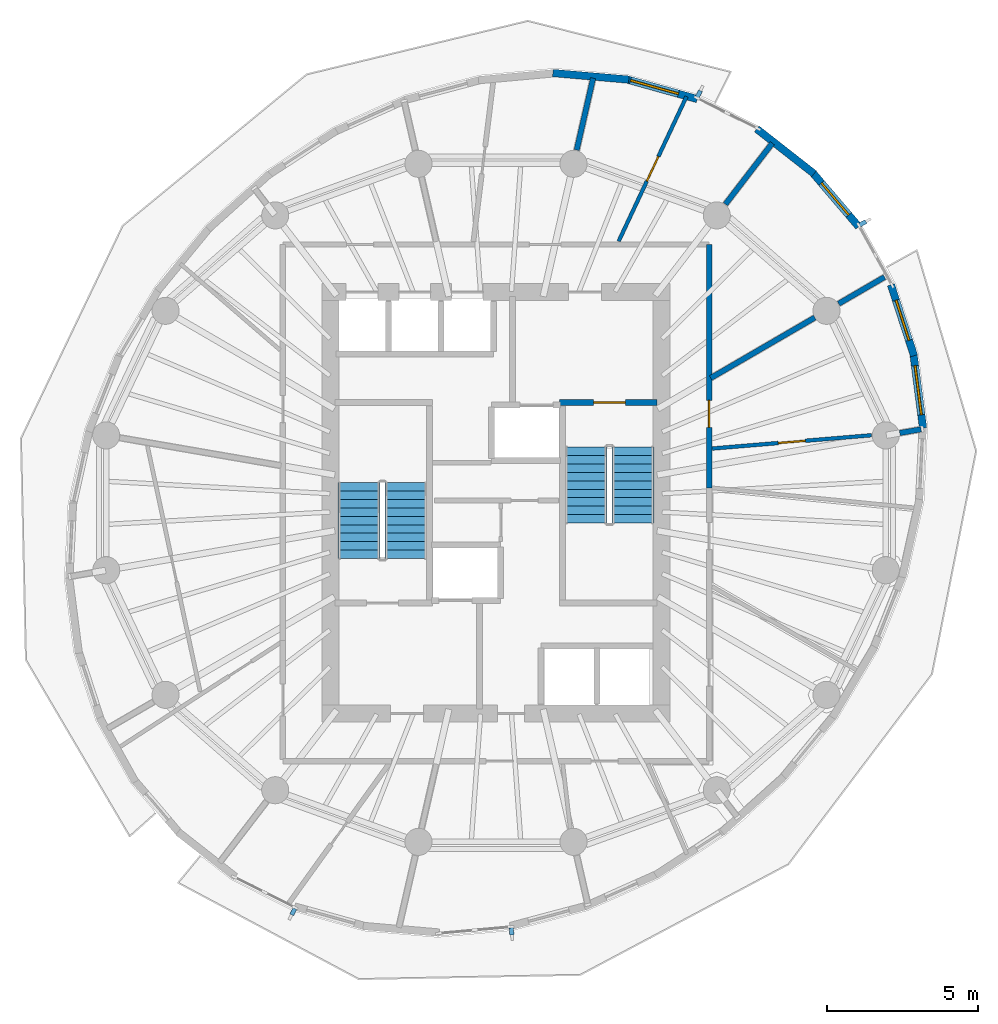
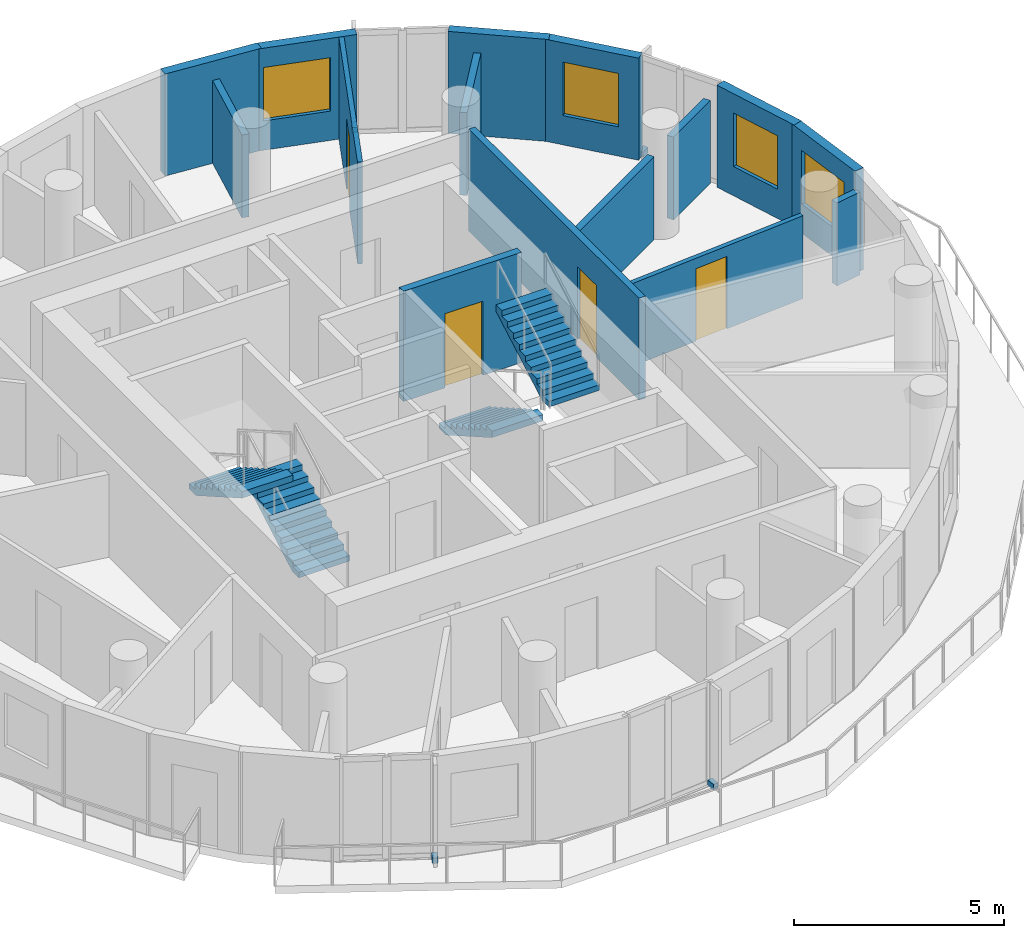
# One storey, part 7 of 10: 15 walls, 4 discrete accessories, 4 doors, 4 stair flights, 4 windows, 8 openings, 2 elements without a shape of their own.
"""IFC4 building model written with IfcOpenShell, lengths in metres."""

from ifc_helpers import new_model, si_unit, direction, frame, frame_2d, origin, origin_2d, place, context, subcontext, project, spatial, polyline, rectangle, outline, extrude, material, layer, layer_set, type_object, element, fill, aggregate, save


model = new_model("IFC4")

# Units and contexts
model_context = context("Model", 3, precision=1e-05, world=origin(), true_north=direction((0.0, 1.0)))
body_context = subcontext(model_context, "Body", "Model", "MODEL_VIEW")
ifc_project = project(units=[si_unit("LENGTHUNIT", "METRE"), si_unit("AREAUNIT", "SQUARE_METRE"), si_unit("VOLUMEUNIT", "CUBIC_METRE"), si_unit("PLANEANGLEUNIT", "RADIAN"), si_unit("MASSUNIT", "GRAM", prefix="KILO")], contexts=[model_context])

# Site, building, storey
site_placement = place(None, origin())
site = spatial("IfcSite", under=ifc_project, at=site_placement, CompositionType="ELEMENT")
building_placement = place(site_placement, origin())
building = spatial("IfcBuilding", under=site, at=building_placement, Name="Veldorim Arch Residences", CompositionType="ELEMENT")
storey_placement = place(building_placement, frame((0.0, 0.0, 191.840087890625)))
storey = spatial("IfcBuildingStorey", under=building, at=storey_placement, Name="L57", CompositionType="ELEMENT", Elevation=191.840087890625)

# Wall, opening, door
ifc_material_1 = material(Name="Acoustic Gypsum Board", Category="gypsum")
ifc_layer_1 = layer(ifc_material_1, 0.125, Name="Acoustic Stud Room Partition Wall 125")
ifc_layer_set_1 = layer_set([ifc_layer_1], Name="Acoustic Gypsum Board")
wall_type_1 = type_object("IfcWallType", Name="Acoustic Stud Room Partition Wall 125", PredefinedType="PARTITIONING", material=ifc_layer_set_1)
wall_1_placement = place(storey_placement, frame((44.46826171875, 26.244140625, 0.0), z_axis=(0.0, 0.0, 1.0), x_axis=(-0.996538774807, -0.083129238578, 0.0)))
wall_1 = element("IfcWall", 1, at=wall_1_placement, inside=storey, type_object=wall_type_1, Name="L57 interior wall WL-RES-L57-008", PredefinedType="PARTITIONING", context=body_context, shape_type="SweptSolid", body=[
    extrude(rectangle(XDim=5.306884765625, YDim=0.125, at=frame_2d((2.6533203125, 0.0))), origin(), (0.0, 0.0, 1.0), 2.4033203125),
])
opening_1_placement = place(wall_1_placement, frame((2.20361328125, 0.0, 0.0)))
opening_1 = element("IfcOpeningElement", 2, at=opening_1_placement, cuts=wall_1, Name="Opening DR-SVC", PredefinedType="OPENING", context=body_context, shape_type="SweptSolid", body=[
    extrude(rectangle(XDim=0.89990234375, YDim=2.10009765625, at=frame_2d((0.449951171875, 1.050048828125))), frame((0.0, 0.072509765625, 0.0), z_axis=(0.0, -1.0, 0.0), x_axis=(1.0, 0.0, 0.0)), (0.0, 0.0, 1.0), 0.14501953125),
])
ifc_material_2 = material(Name="Fire-Rated Steel", Category="steel")
door_type_1 = type_object("IfcDoorType", Name="Riser, Shelter & Plant Room Rated Steel Door 900x2100", OperationType="SINGLE_SWING_LEFT", PredefinedType="DOOR", material=ifc_material_2)
door_1_placement = place(opening_1_placement, origin())
door_1 = element("IfcDoor", 3, at=door_1_placement, inside=storey, type_object=door_type_1, Name="L57 interior door DR-RES-L57-006", OperationType="SINGLE_SWING_RIGHT", OverallHeight=2.10009765625, OverallWidth=0.89990234375, PredefinedType="DOOR", context=body_context, shape_type="SweptSolid", body=[
    extrude(rectangle(XDim=0.89990234375, YDim=2.10009765625, at=frame_2d((0.449951171875, 1.050048828125))), frame((0.0, 0.02490234375, 0.0), z_axis=(0.0, -1.0, 0.0), x_axis=(1.0, 0.0, 0.0)), (0.0, 0.0, 1.0), 0.050048828125),
])
fill(opening_1, door_1)

wall_2_placement = place(storey_placement, frame((38.327880859375, 37.49560546875, 0.0), z_axis=(0.0, 0.0, 1.0), x_axis=(-0.424538730781, -0.905409777983, 0.0)))
wall_2 = element("IfcWall", 4, at=wall_2_placement, inside=storey, type_object=wall_type_1, Name="L57 interior wall WL-RES-L57-016", PredefinedType="PARTITIONING", context=body_context, shape_type="SweptSolid", body=[
    extrude(rectangle(XDim=5.30908203125, YDim=0.125, at=frame_2d((2.654541015625, 0.0))), origin(), (0.0, 0.0, 1.0), 2.954833984375),
])
opening_2_placement = place(wall_2_placement, frame((2.20458984375, 0.0, 0.0)))
opening_2 = element("IfcOpeningElement", 5, at=opening_2_placement, cuts=wall_2, Name="Opening DR-INT", PredefinedType="OPENING", context=body_context, shape_type="SweptSolid", body=[
    extrude(rectangle(XDim=0.89990234375, YDim=2.10009765625, at=frame_2d((0.449951171875, 1.050048828125))), frame((0.0, 0.072509765625, 0.0), z_axis=(0.0, -1.0, 0.0), x_axis=(1.0, 0.0, 0.0)), (0.0, 0.0, 1.0), 0.14501953125),
])
ifc_material_3 = material(Name="Engineered Timber", Category="wood")
door_type_2 = type_object("IfcDoorType", Name="Apartment Internal Room Timber Door 900x2100", OperationType="SINGLE_SWING_LEFT", PredefinedType="DOOR", material=ifc_material_3)
door_2_placement = place(opening_2_placement, origin())
door_2 = element("IfcDoor", 6, at=door_2_placement, inside=storey, type_object=door_type_2, Name="L57 interior door DR-RES-L57-009", OperationType="SINGLE_SWING_LEFT", OverallHeight=2.10009765625, OverallWidth=0.89990234375, PredefinedType="DOOR", context=body_context, shape_type="SweptSolid", body=[
    extrude(rectangle(XDim=0.89990234375, YDim=2.10009765625, at=frame_2d((0.449951171875, 1.050048828125))), frame((0.0, 0.02490234375, 0.0), z_axis=(0.0, -1.0, 0.0), x_axis=(1.0, 0.0, 0.0)), (0.0, 0.0, 1.0), 0.050048828125),
])
fill(opening_2, door_2)

# Walls
ifc_material_4 = material(Name="Lightweight Masonry Block & Gypsum", Category="masonry")
ifc_layer_2 = layer(ifc_material_4, 0.179931640625, Name="Compartment & Corridor Fire-Rated Party Wall 180")
ifc_layer_set_2 = layer_set([ifc_layer_2], Name="Lightweight Masonry Block & Gypsum")
wall_type_2 = type_object("IfcWallType", Name="Compartment & Corridor Fire-Rated Party Wall 180", PredefinedType="PARTITIONING", material=ifc_layer_set_2)
wall_3_placement = place(storey_placement, frame((45.409423828125, 26.319580078125, 0.0), z_axis=(0.0, 0.0, 1.0), x_axis=(0.985336223431, 0.170623933826, 0.0)))
element("IfcWall", 7, at=wall_3_placement, inside=storey, type_object=wall_type_2, Name="L57 interior wall WL-PIER-L57-01", PredefinedType="PARTITIONING", context=body_context, shape_type="SweptSolid", body=[
    extrude(rectangle(XDim=0.71826171875, YDim=0.179931640625, at=frame_2d((0.359130859375, 0.0))), origin(), (0.0, 0.0, 1.0), 2.4033203125),
])
wall_4_placement = place(storey_placement, frame((43.3818359375, 30.614013671875, 0.0), z_axis=(0.0, 0.0, 1.0), x_axis=(0.86461381872, 0.502437005482, 0.0)))
element("IfcWall", 8, at=wall_4_placement, inside=storey, type_object=wall_type_2, Name="L57 interior wall WL-PIER-L57-02", PredefinedType="PARTITIONING", context=body_context, shape_type="SweptSolid", body=[
    extrude(rectangle(XDim=1.758056640625, YDim=0.179931640625, at=frame_2d((0.87890625, 0.0))), origin(), (0.0, 0.0, 1.0), 2.4033203125),
])
wall_5_placement = place(storey_placement, frame((39.619873046875, 33.91796875, 0.0), z_axis=(0.0, 0.0, 1.0), x_axis=(0.609249164273, 0.792978849549, 0.0)))
element("IfcWall", 9, at=wall_5_placement, inside=storey, type_object=wall_type_2, Name="L57 interior wall WL-PIER-L57-03", PredefinedType="PARTITIONING", context=body_context, shape_type="SweptSolid", body=[
    extrude(rectangle(XDim=2.556640625, YDim=0.179931640625, at=frame_2d((1.2783203125, 0.0))), origin(), (0.0, 0.0, 1.0), 2.4033203125),
])
wall_6_placement = place(storey_placement, frame((34.679931640625, 35.717529296875, 0.0), z_axis=(0.0, 0.0, 1.0), x_axis=(0.222943921747, 0.974831271429, 0.0)))
element("IfcWall", 10, at=wall_6_placement, inside=storey, type_object=wall_type_2, Name="L57 interior wall WL-PIER-L57-04", PredefinedType="PARTITIONING", context=body_context, shape_type="SweptSolid", body=[
    extrude(rectangle(XDim=2.448486328125, YDim=0.179931640625, at=frame_2d((1.22412109375, 0.0))), origin(), (0.0, 0.0, 1.0), 2.4033203125),
])

# Wall, opening, door
wall_7_placement = place(storey_placement, frame((39.080078125, 32.580078125, 0.0), z_axis=(0.0, 0.0, 1.0), x_axis=(0.0, -1.0, 0.0)))
wall_7 = element("IfcWall", 11, at=wall_7_placement, inside=storey, type_object=wall_type_2, Name="L57 interior wall WL-RES-L57-001", PredefinedType="PARTITIONING", context=body_context, shape_type="SweptSolid", body=[
    extrude(rectangle(XDim=8.093994140625, YDim=0.179931640625, at=frame_2d((4.046875, 0.0))), origin(), (0.0, 0.0, 1.0), 2.954833984375),
])
opening_3_placement = place(wall_7_placement, frame((5.174072265625, 0.0, 0.0)))
opening_3 = element("IfcOpeningElement", 12, at=opening_3_placement, cuts=wall_7, Name="Opening DR-SVC", PredefinedType="OPENING", context=body_context, shape_type="SweptSolid", body=[
    extrude(rectangle(XDim=0.89990234375, YDim=2.10009765625, at=frame_2d((0.449951171875, 1.050048828125))), frame((0.0, 0.099853515625, 0.0), z_axis=(0.0, -1.0, 0.0), x_axis=(1.0, 0.0, 0.0)), (0.0, 0.0, 1.0), 0.199951171875),
])
door_3_placement = place(opening_3_placement, origin())
door_3 = element("IfcDoor", 13, at=door_3_placement, inside=storey, type_object=door_type_1, Name="L57 interior door DR-RES-L57-001", OperationType="SINGLE_SWING_LEFT", OverallHeight=2.10009765625, OverallWidth=0.89990234375, PredefinedType="DOOR", context=body_context, shape_type="SweptSolid", body=[
    extrude(rectangle(XDim=0.89990234375, YDim=2.10009765625, at=frame_2d((0.449951171875, 1.050048828125))), frame((0.0, 0.02490234375, 0.0), z_axis=(0.0, -1.0, 0.0), x_axis=(1.0, 0.0, 0.0)), (0.0, 0.0, 1.0), 0.050048828125),
])
fill(opening_3, door_3)

# Wall
wall_8_placement = place(storey_placement, frame((39.1318359375, 28.144287109375, 0.0), z_axis=(0.0, 0.0, 1.0), x_axis=(0.864597268714, 0.502465484319, 0.0)))
element("IfcWall", 14, at=wall_8_placement, inside=storey, type_object=wall_type_2, Name="L57 interior wall WL-RES-L57-009", PredefinedType="PARTITIONING", context=body_context, shape_type="SweptSolid", body=[
    extrude(rectangle(XDim=3.997802734375, YDim=0.179931640625, at=frame_2d((1.9990234375, 0.0))), origin(), (0.0, 0.0, 1.0), 2.4033203125),
])

# Wall, opening, door
ifc_material_5 = material(Name="Concrete C50/60", Category="concrete")
ifc_layer_3 = layer(ifc_material_5, 0.199951171875, Name="Core Stair & Lift Shaft Enclosure Wall 200")
ifc_layer_set_3 = layer_set([ifc_layer_3], Name="Concrete C50/60")
wall_type_3 = type_object("IfcWallType", Name="Core Stair & Lift Shaft Enclosure Wall 200", PredefinedType="SHEAR", material=ifc_layer_set_3)
wall_9_placement = place(storey_placement, frame((34.110107421875, 27.330078125, 0.0), z_axis=(0.0, 0.0, 1.0), x_axis=(1.0, 0.0, 0.0)))
wall_9 = element("IfcWall", 15, at=wall_9_placement, inside=storey, type_object=wall_type_3, Name="L57 shaft wall WL-SHF-L57-ST2-N", PredefinedType="SHEAR", context=body_context, shape_type="SweptSolid", body=[
    extrude(rectangle(XDim=3.239990234375, YDim=0.199951171875, at=frame_2d((1.6201171875, 0.0))), origin(), (0.0, 0.0, 1.0), 3.199951171875),
])
opening_4_placement = place(wall_9_placement, frame((1.135009765625, 0.0, 0.0)))
opening_4 = element("IfcOpeningElement", 16, at=opening_4_placement, cuts=wall_9, Name="Opening DR-ST", PredefinedType="OPENING", context=body_context, shape_type="SweptSolid", body=[
    extrude(rectangle(XDim=1.050048828125, YDim=2.14990234375, at=frame_2d((0.52490234375, 1.074951171875))), frame((0.0, 0.10986328125, 0.0), z_axis=(0.0, -1.0, 0.0), x_axis=(1.0, 0.0, 0.0)), (0.0, 0.0, 1.0), 0.219970703125),
])
ifc_material_6 = material(Name="Fire-Rated Steel", Category="steel")
door_type_3 = type_object("IfcDoorType", Name="Exit Staircase Self-Closing Fire Door 1050x2150", OperationType="SINGLE_SWING_LEFT", PredefinedType="DOOR", material=ifc_material_6)
door_4_placement = place(opening_4_placement, origin())
door_4 = element("IfcDoor", 17, at=door_4_placement, inside=storey, type_object=door_type_3, Name="L57 interior door DR-L57-ST2", OperationType="SINGLE_SWING_RIGHT", OverallHeight=2.14990234375, OverallWidth=1.050048828125, PredefinedType="DOOR", context=body_context, shape_type="SweptSolid", body=[
    extrude(rectangle(XDim=1.050048828125, YDim=2.14990234375, at=frame_2d((0.52490234375, 1.074951171875))), frame((0.0, 0.02490234375, 0.0), z_axis=(0.0, -1.0, 0.0), x_axis=(1.0, 0.0, 0.0)), (0.0, 0.0, 1.0), 0.050048828125),
])
fill(opening_4, door_4)

# Wall
ifc_material_7 = material(Name="Precast concrete C40/50", Category="concrete")
ifc_layer_4 = layer(ifc_material_7, 0.25, Name="Tower Terracotta Spandrel & Pier Wall 250")
ifc_layer_set_4 = layer_set([ifc_layer_4], Name="Precast concrete C40/50")
wall_type_4 = type_object("IfcWallType", Name="Tower Terracotta Spandrel & Pier Wall 250", PredefinedType="SOLIDWALL", material=ifc_layer_set_4)
wall_10_placement = place(storey_placement, frame((40.66064453125, 36.419677734375, 0.0), z_axis=(0.0, 0.0, 1.0), x_axis=(0.787404715416, -0.616436382883, 0.0)))
element("IfcWall", 18, at=wall_10_placement, inside=storey, type_object=wall_type_4, Name="L57 terracotta facade wall 01", PredefinedType="SOLIDWALL", context=body_context, shape_type="SweptSolid", body=[
    extrude(rectangle(XDim=2.414794921875, YDim=0.25, at=frame_2d((1.20751953125, 0.0))), origin(), (0.0, 0.0, 1.0), 2.9599609375),
])

# Wall, opening, window
wall_11_placement = place(storey_placement, frame((36.29931640625, 38.077392578125, 0.0), z_axis=(0.0, 0.0, 1.0), x_axis=(0.96316841201, -0.26889888454, 0.0)))
wall_11 = element("IfcWall", 19, at=wall_11_placement, inside=storey, type_object=wall_type_4, Name="L57 terracotta facade wall 03", PredefinedType="SOLIDWALL", context=body_context, shape_type="SweptSolid", body=[
    extrude(rectangle(XDim=2.477783203125, YDim=0.25, at=frame_2d((1.23876953125, 0.0))), origin(), (0.0, 0.0, 1.0), 2.9599609375),
])
opening_5_placement = place(wall_11_placement, frame((0.175048828125, 0.0, 0.85009765625)))
opening_5 = element("IfcOpeningElement", 20, at=opening_5_placement, cuts=wall_11, Name="Opening WN-03", PredefinedType="OPENING", context=body_context, shape_type="SweptSolid", body=[
    extrude(rectangle(XDim=1.64990234375, YDim=1.550048828125, at=frame_2d((0.824951171875, 0.77490234375))), frame((0.0, 0.135009765625, 0.0), z_axis=(0.0, -1.0, 0.0), x_axis=(1.0, 0.0, 0.0)), (0.0, 0.0, 1.0), 0.27001953125),
])
ifc_material_8 = material(Name="Laminated Low-E Glass", Category="glass")
window_type_1 = type_object("IfcWindowType", Name="Residential Wide Window 1650x1550", PartitioningType="SINGLE_PANEL", PredefinedType="WINDOW", material=ifc_material_8)
window_1_placement = place(opening_5_placement, origin())
window_1 = element("IfcWindow", 21, at=window_1_placement, inside=storey, type_object=window_type_1, Name="L57 solar-control facade window 03", OverallHeight=1.550048828125, OverallWidth=1.64990234375, PartitioningType="SINGLE_PANEL", PredefinedType="WINDOW", context=body_context, shape_type="SweptSolid", body=[
    extrude(rectangle(XDim=1.64990234375, YDim=1.550048828125, at=frame_2d((0.824951171875, 0.77490234375))), frame((0.0, 0.030029296875, 0.0), z_axis=(0.0, -1.0, 0.0), x_axis=(1.0, 0.0, 0.0)), (0.0, 0.0, 1.0), 0.06005859375),
])
fill(opening_5, window_1)

# Wall
wall_12_placement = place(storey_placement, frame((33.8876953125, 38.27587890625, 0.0), z_axis=(0.0, 0.0, 1.0), x_axis=(0.996260822813, -0.08639660252, 0.0)))
element("IfcWall", 22, at=wall_12_placement, inside=storey, type_object=wall_type_4, Name="L57 terracotta facade wall 04", PredefinedType="SOLIDWALL", context=body_context, shape_type="SweptSolid", body=[
    extrude(rectangle(XDim=2.531982421875, YDim=0.25, at=frame_2d((1.26611328125, 0.0))), origin(), (0.0, 0.0, 1.0), 2.9599609375),
])

# Wall, opening, window
wall_13_placement = place(storey_placement, frame((45.860107421875, 28.994873046875, 0.0), z_axis=(0.0, 0.0, 1.0), x_axis=(0.128057007482, -0.991766808698, 0.0)))
wall_13 = element("IfcWall", 23, at=wall_13_placement, inside=storey, type_object=wall_type_4, Name="L57 terracotta facade wall 33", PredefinedType="SOLIDWALL", context=body_context, shape_type="SweptSolid", body=[
    extrude(rectangle(XDim=2.53173828125, YDim=0.25, at=frame_2d((1.265869140625, 0.0))), origin(), (0.0, 0.0, 1.0), 2.9599609375),
])
opening_6_placement = place(wall_13_placement, frame((0.44091796875, 0.0, 0.85009765625)))
opening_6 = element("IfcOpeningElement", 24, at=opening_6_placement, cuts=wall_13, Name="Opening WN-03", PredefinedType="OPENING", context=body_context, shape_type="SweptSolid", body=[
    extrude(rectangle(XDim=1.64990234375, YDim=1.550048828125, at=frame_2d((0.824951171875, 0.77490234375))), frame((0.0, 0.135009765625, 0.0), z_axis=(0.0, -1.0, 0.0), x_axis=(1.0, 0.0, 0.0)), (0.0, 0.0, 1.0), 0.27001953125),
])
window_2_placement = place(opening_6_placement, origin())
window_2 = element("IfcWindow", 25, at=window_2_placement, inside=storey, type_object=window_type_1, Name="L57 solar-control facade window 33", OverallHeight=1.550048828125, OverallWidth=1.64990234375, PartitioningType="SINGLE_PANEL", PredefinedType="WINDOW", context=body_context, shape_type="SweptSolid", body=[
    extrude(rectangle(XDim=1.64990234375, YDim=1.550048828125, at=frame_2d((0.824951171875, 0.77490234375))), frame((0.0, 0.030029296875, 0.0), z_axis=(0.0, -1.0, 0.0), x_axis=(1.0, 0.0, 0.0)), (0.0, 0.0, 1.0), 0.06005859375),
])
fill(opening_6, window_2)

wall_14_placement = place(storey_placement, frame((45.119384765625, 31.241455078125, 0.0), z_axis=(0.0, 0.0, 1.0), x_axis=(0.309005861828, -0.951060133407, 0.0)))
wall_14 = element("IfcWall", 26, at=wall_14_placement, inside=storey, type_object=wall_type_4, Name="L57 terracotta facade wall 34", PredefinedType="SOLIDWALL", context=body_context, shape_type="SweptSolid", body=[
    extrude(rectangle(XDim=2.477783203125, YDim=0.25, at=frame_2d((1.23876953125, 0.0))), origin(), (0.0, 0.0, 1.0), 2.9599609375),
])
opening_7_placement = place(wall_14_placement, frame((0.5390625, 0.0, 0.85009765625)))
opening_7 = element("IfcOpeningElement", 27, at=opening_7_placement, cuts=wall_14, Name="Opening WN-02", PredefinedType="OPENING", context=body_context, shape_type="SweptSolid", body=[
    extrude(rectangle(XDim=1.39990234375, YDim=1.550048828125, at=frame_2d((0.699951171875, 0.77490234375))), frame((0.0, 0.135009765625, 0.0), z_axis=(0.0, -1.0, 0.0), x_axis=(1.0, 0.0, 0.0)), (0.0, 0.0, 1.0), 0.27001953125),
])
ifc_material_9 = material(Name="Laminated Low-E Glass", Category="glass")
window_type_2 = type_object("IfcWindowType", Name="Residential Casement Window 1400x1550", PartitioningType="SINGLE_PANEL", PredefinedType="WINDOW", material=ifc_material_9)
window_3_placement = place(opening_7_placement, origin())
window_3 = element("IfcWindow", 28, at=window_3_placement, inside=storey, type_object=window_type_2, Name="L57 solar-control facade window 34", OverallHeight=1.550048828125, OverallWidth=1.39990234375, PartitioningType="SINGLE_PANEL", PredefinedType="WINDOW", context=body_context, shape_type="SweptSolid", body=[
    extrude(rectangle(XDim=1.39990234375, YDim=1.550048828125, at=frame_2d((0.699951171875, 0.77490234375))), frame((0.0, 0.030029296875, 0.0), z_axis=(0.0, -1.0, 0.0), x_axis=(1.0, 0.0, 0.0)), (0.0, 0.0, 1.0), 0.06005859375),
])
fill(opening_7, window_3)

wall_15_placement = place(storey_placement, frame((42.479248046875, 35.010498046875, 0.0), z_axis=(0.0, 0.0, 1.0), x_axis=(0.648874307696, -0.760895612297, 0.0)))
wall_15 = element("IfcWall", 29, at=wall_15_placement, inside=storey, type_object=wall_type_4, Name="L57 terracotta facade wall 36", PredefinedType="SOLIDWALL", context=body_context, shape_type="SweptSolid", body=[
    extrude(rectangle(XDim=2.414794921875, YDim=0.25, at=frame_2d((1.20751953125, 0.0))), origin(), (0.0, 0.0, 1.0), 2.9599609375),
])
opening_8_placement = place(wall_15_placement, frame((0.507080078125, 0.0, 0.85009765625)))
opening_8 = element("IfcOpeningElement", 30, at=opening_8_placement, cuts=wall_15, Name="Opening WN-02", PredefinedType="OPENING", context=body_context, shape_type="SweptSolid", body=[
    extrude(rectangle(XDim=1.39990234375, YDim=1.550048828125, at=frame_2d((0.699951171875, 0.77490234375))), frame((0.0, 0.135009765625, 0.0), z_axis=(0.0, -1.0, 0.0), x_axis=(1.0, 0.0, 0.0)), (0.0, 0.0, 1.0), 0.27001953125),
])
window_4_placement = place(opening_8_placement, origin())
window_4 = element("IfcWindow", 31, at=window_4_placement, inside=storey, type_object=window_type_2, Name="L57 solar-control facade window 36", OverallHeight=1.550048828125, OverallWidth=1.39990234375, PartitioningType="SINGLE_PANEL", PredefinedType="WINDOW", context=body_context, shape_type="SweptSolid", body=[
    extrude(rectangle(XDim=1.39990234375, YDim=1.550048828125, at=frame_2d((0.699951171875, 0.77490234375))), frame((0.0, 0.030029296875, 0.0), z_axis=(0.0, -1.0, 0.0), x_axis=(1.0, 0.0, 0.0)), (0.0, 0.0, 1.0), 0.06005859375),
])
fill(opening_8, window_4)

# Stair, stair flights
ifc_material_10 = material(Name="Concrete C40/50", Category="concrete")
stair_type = type_object("IfcStairType", Name="Reinforced Concrete Dogleg Exit Staircase", PredefinedType="HALF_TURN_STAIR", material=ifc_material_10)
stair_1_placement = place(storey_placement, origin())
stair_1 = element("IfcStair", 32, at=stair_1_placement, inside=storey, type_object=stair_type, Name="L57 Exit Staircase ST-1", PredefinedType="HALF_TURN_STAIR")
ifc_material_11 = material(Name="Concrete C40/50", Category="concrete")
stair_flight_type = type_object("IfcStairFlightType", Name="Reinforced Concrete Stair Flight 1400", PredefinedType="STRAIGHT", material=ifc_material_11)
stair_flight_1_placement = place(storey_placement, frame((29.010009765625, 22.14990234375, 0.0), z_axis=(0.0, 0.0, 1.0), x_axis=(0.0, 1.0, 0.0)))
stair_flight_1 = element("IfcStairFlight", 33, at=stair_flight_1_placement, type_object=stair_flight_type, Name="ST-1 flight 1", NumberOfRisers=10, NumberOfTreads=9, PredefinedType="STRAIGHT", RiserHeight=0.16, TreadLength=0.28, context=body_context, shape_type="SweptSolid", body=[
    extrude(outline(polyline([(0.0, 0.0), (0.0, 0.159912109375), (0.280029296875, 0.159912109375), (0.280029296875, 0.320068359375), (0.56005859375, 0.320068359375), (0.56005859375, 0.47998046875), (0.840087890625, 0.47998046875), (0.840087890625, 0.639892578125), (1.1201171875, 0.639892578125), (1.1201171875, 0.800048828125), (1.39990234375, 0.800048828125), (1.39990234375, 0.9599609375), (1.679931640625, 0.9599609375), (1.679931640625, 1.1201171875), (1.9599609375, 1.1201171875), (1.9599609375, 1.280029296875), (2.239990234375, 1.280029296875), (2.239990234375, 1.43994140625), (2.52001953125, 1.43994140625), (2.52001953125, 1.60009765625), (2.52001953125, 1.255859375), (0.322265625, 0.0), (0.0, 0.0)])), frame((0.0, 0.699951171875, 0.0), z_axis=(0.0, -1.0, 0.0), x_axis=(1.0, 0.0, 0.0)), (0.0, 0.0, 1.0), 1.39990234375),
])
stair_flight_2_placement = place(storey_placement, frame((27.449951171875, 24.669921875, 1.599853515625), z_axis=(0.0, 0.0, 1.0), x_axis=(0.0, -1.0, 0.0)))
stair_flight_2 = element("IfcStairFlight", 34, at=stair_flight_2_placement, type_object=stair_flight_type, Name="ST-1 flight 2", NumberOfRisers=10, NumberOfTreads=9, PredefinedType="STRAIGHT", RiserHeight=0.16, TreadLength=0.28, context=body_context, shape_type="SweptSolid", body=[
    extrude(outline(polyline([(0.0, 0.0), (0.0, 0.159912109375), (0.280029296875, 0.159912109375), (0.280029296875, 0.320068359375), (0.56005859375, 0.320068359375), (0.56005859375, 0.47998046875), (0.840087890625, 0.47998046875), (0.840087890625, 0.639892578125), (1.1201171875, 0.639892578125), (1.1201171875, 0.800048828125), (1.39990234375, 0.800048828125), (1.39990234375, 0.9599609375), (1.679931640625, 0.9599609375), (1.679931640625, 1.1201171875), (1.9599609375, 1.1201171875), (1.9599609375, 1.280029296875), (2.239990234375, 1.280029296875), (2.239990234375, 1.43994140625), (2.52001953125, 1.43994140625), (2.52001953125, 1.60009765625), (2.52001953125, 1.255859375), (0.322265625, 0.0), (0.0, 0.0)])), frame((0.0, 0.699951171875, 0.0), z_axis=(0.0, -1.0, 0.0), x_axis=(1.0, 0.0, 0.0)), (0.0, 0.0, 1.0), 1.39990234375),
])
aggregate(stair_1, [stair_flight_1, stair_flight_2])

stair_2_placement = place(storey_placement, origin())
stair_2 = element("IfcStair", 35, at=stair_2_placement, inside=storey, type_object=stair_type, Name="L57 Exit Staircase ST-2", PredefinedType="HALF_TURN_STAIR")
stair_flight_3_placement = place(storey_placement, frame((34.989990234375, 25.85009765625, 0.0), z_axis=(0.0, 0.0, 1.0), x_axis=(0.0, -1.0, 0.0)))
stair_flight_3 = element("IfcStairFlight", 36, at=stair_flight_3_placement, type_object=stair_flight_type, Name="ST-2 flight 1", NumberOfRisers=10, NumberOfTreads=9, PredefinedType="STRAIGHT", RiserHeight=0.16, TreadLength=0.28, context=body_context, shape_type="SweptSolid", body=[
    extrude(outline(polyline([(0.0, 0.0), (0.0, 0.159912109375), (0.280029296875, 0.159912109375), (0.280029296875, 0.320068359375), (0.56005859375, 0.320068359375), (0.56005859375, 0.47998046875), (0.840087890625, 0.47998046875), (0.840087890625, 0.639892578125), (1.1201171875, 0.639892578125), (1.1201171875, 0.800048828125), (1.39990234375, 0.800048828125), (1.39990234375, 0.9599609375), (1.679931640625, 0.9599609375), (1.679931640625, 1.1201171875), (1.9599609375, 1.1201171875), (1.9599609375, 1.280029296875), (2.239990234375, 1.280029296875), (2.239990234375, 1.43994140625), (2.52001953125, 1.43994140625), (2.52001953125, 1.60009765625), (2.52001953125, 1.255859375), (0.322265625, 0.0), (0.0, 0.0)])), frame((0.0, 0.699951171875, 0.0), z_axis=(0.0, -1.0, 0.0), x_axis=(1.0, 0.0, 0.0)), (0.0, 0.0, 1.0), 1.39990234375),
])
stair_flight_4_placement = place(storey_placement, frame((36.550048828125, 23.330078125, 1.599853515625), z_axis=(0.0, 0.0, 1.0), x_axis=(0.0, 1.0, 0.0)))
stair_flight_4 = element("IfcStairFlight", 37, at=stair_flight_4_placement, type_object=stair_flight_type, Name="ST-2 flight 2", NumberOfRisers=10, NumberOfTreads=9, PredefinedType="STRAIGHT", RiserHeight=0.16, TreadLength=0.28, context=body_context, shape_type="SweptSolid", body=[
    extrude(outline(polyline([(0.0, 0.0), (0.0, 0.159912109375), (0.280029296875, 0.159912109375), (0.280029296875, 0.320068359375), (0.56005859375, 0.320068359375), (0.56005859375, 0.47998046875), (0.840087890625, 0.47998046875), (0.840087890625, 0.639892578125), (1.1201171875, 0.639892578125), (1.1201171875, 0.800048828125), (1.39990234375, 0.800048828125), (1.39990234375, 0.9599609375), (1.679931640625, 0.9599609375), (1.679931640625, 1.1201171875), (1.9599609375, 1.1201171875), (1.9599609375, 1.280029296875), (2.239990234375, 1.280029296875), (2.239990234375, 1.43994140625), (2.52001953125, 1.43994140625), (2.52001953125, 1.60009765625), (2.52001953125, 1.255859375), (0.322265625, 0.0), (0.0, 0.0)])), frame((0.0, 0.699951171875, 0.0), z_axis=(0.0, -1.0, 0.0), x_axis=(1.0, 0.0, 0.0)), (0.0, 0.0, 1.0), 1.39990234375),
])
aggregate(stair_2, [stair_flight_3, stair_flight_4])

# Discrete accessories
ifc_material_12 = material(Name="Stainless Steel", Category="steel")
discrete_accessory_type = type_object("IfcDiscreteAccessoryType", Name="Stainless Steel Facade Fin Anchor Bracket", PredefinedType="BRACKET", material=ifc_material_12)
for number, where, z_axis, x_axis, name in (
    (38, (38.7353515625, 37.578369140625, -0.02001953125), (0.0, 0.0, 1.0), (0.893606528733, -0.448851168881, 0.0), "L57 stainless fin anchor bracket 02"),
    (39, (25.2646484375, 10.421630859375, -0.02001953125), (0.0, 0.0, 1.0), (-0.893606528733, 0.448851168881, 0.0), "L57 stainless fin anchor bracket 20"),
    (40, (32.5166015625, 9.769287109375, -0.02001953125), (0.0, 0.0, 1.0), (-0.995900201817, -0.090458764201, 0.0), "L57 stainless fin anchor bracket 23"),
    (41, (44.180419921875, 33.28369140625, -0.02001953125), (0.0, 0.0, 1.0), (0.485877807712, -0.874026747859, 0.0), "L57 stainless fin anchor bracket 35"),
):
    element("IfcDiscreteAccessory", number, at=place(storey_placement, frame(where, z_axis=z_axis, x_axis=x_axis)), inside=storey, type_object=discrete_accessory_type, Name=name, PredefinedType="BRACKET", context=body_context, shape_type="SweptSolid", body=[
        extrude(rectangle(XDim=0.139892578125, YDim=0.239990234375, at=origin_2d()), origin(), (0.0, 0.0, 1.0), 0.159912109375),
    ])

save(model, "model.ifc")
